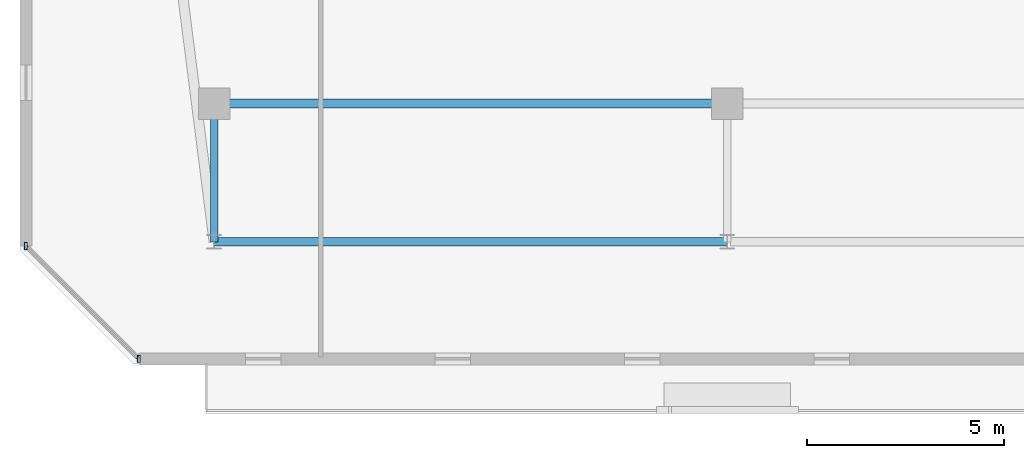
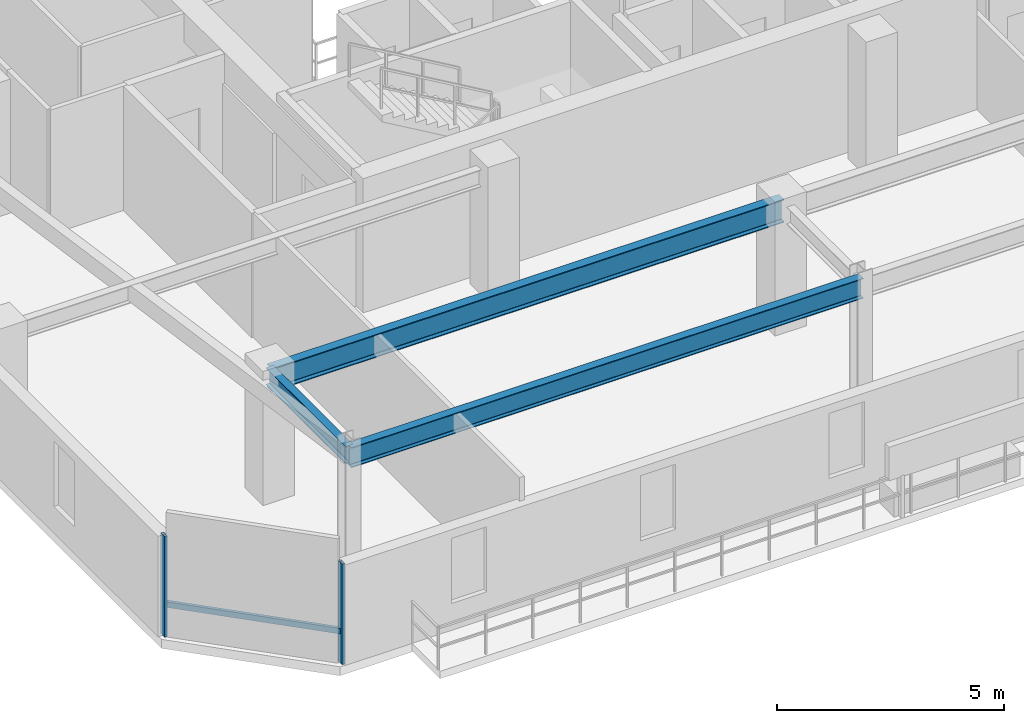
# One storey, part 5 of 35: 3 beams, 3 members, 1 element without a shape of its own.
"""IFC4 building model written with IfcOpenShell, lengths in metres."""

from ifc_helpers import new_model, si_unit, direction, frame, origin, origin_2d, place, context, subcontext, project, spatial, hollow_rectangle, i_section, extrude, material, material_profile, profile_set, type_object, element, aggregate, save


model = new_model("IFC4")

# Units and contexts
model_context = context("Model", 3, precision=1e-05, world=origin(), true_north=direction((0.0, 1.0)))
body_context = subcontext(model_context, "Body", "Model", "MODEL_VIEW")
ifc_project = project(units=[si_unit("LENGTHUNIT", "METRE"), si_unit("AREAUNIT", "SQUARE_METRE"), si_unit("VOLUMEUNIT", "CUBIC_METRE"), si_unit("PLANEANGLEUNIT", "RADIAN"), si_unit("MASSUNIT", "GRAM", prefix="KILO")], contexts=[model_context])

# Site, building, storey
site_placement = place(None, origin())
site = spatial("IfcSite", under=ifc_project, at=site_placement, CompositionType="ELEMENT")
building_placement = place(site_placement, origin())
building = spatial("IfcBuilding", under=site, at=building_placement, Name="Thornwick Lancets Civic Towers", CompositionType="ELEMENT")
storey_placement = place(building_placement, frame((0.0, 0.0, 272.699951171875)))
storey = spatial("IfcBuildingStorey", under=building, at=storey_placement, Name="L73", CompositionType="ELEMENT", Elevation=272.699951171875)

# Beams
ifc_material_1 = material(Name="Steel S355JR", Category="steel")
ifc_material_profile_1 = material_profile(ifc_material_1, i_section(OverallWidth=0.210693359375, OverallDepth=0.53955078125, WebThickness=0.01171875, FlangeThickness=0.018798828125, FilletRadius=0.0126953125, at=origin_2d()), Name="UKB 533x210x109")
ifc_profile_set_1 = profile_set([ifc_material_profile_1], Name="Steel S355JR")
beam_type_1 = type_object("IfcBeamType", Name="BM_EDGE_533_109", PredefinedType="SPANDREL", material=ifc_profile_set_1)
beam_1_placement = place(storey_placement, frame((12.5, 6.199951171875, 3.09033203125), z_axis=(1.0, 0.0, 0.0), x_axis=(0.0, 1.0, 0.0)))
element("IfcBeam", 1, at=beam_1_placement, inside=storey, type_object=beam_type_1, Name="BM-EDGE-L73-A-S0-1", PredefinedType="SPANDREL", context=body_context, shape_type="SweptSolid", body=[
    extrude(i_section(OverallWidth=0.210693359375, OverallDepth=0.53955078125, WebThickness=0.01171875, FlangeThickness=0.018798828125, FilletRadius=0.0126953125, at=origin_2d()), origin(), (0.0, 0.0, 1.0), 13.0),
])
ifc_material_profile_2 = material_profile(ifc_material_1, i_section(OverallWidth=0.230224609375, OverallDepth=0.6171875, WebThickness=0.01318359375, FlangeThickness=0.022216796875, FilletRadius=0.0126953125, at=origin_2d()), Name="UKB 610x229x140")
ifc_profile_set_2 = profile_set([ifc_material_profile_2], Name="Steel S355JR")
beam_type_2 = type_object("IfcBeamType", Name="BM_GIRD_610_140", PredefinedType="BEAM", material=ifc_profile_set_2)
beam_2_placement = place(storey_placement, frame((12.5, 9.699951171875, 3.051513671875), z_axis=(1.0, 0.0, 0.0), x_axis=(0.0, 1.0, 0.0)))
element("IfcBeam", 2, at=beam_2_placement, inside=storey, type_object=beam_type_2, Name="BM-SPINE-L73-A-0-1", PredefinedType="BEAM", context=body_context, shape_type="SweptSolid", body=[
    extrude(i_section(OverallWidth=0.230224609375, OverallDepth=0.6171875, WebThickness=0.01318359375, FlangeThickness=0.022216796875, FilletRadius=0.0126953125, at=origin_2d()), origin(), (0.0, 0.0, 1.0), 13.0),
])
ifc_material_profile_3 = material_profile(ifc_material_1, i_section(OverallWidth=0.19189453125, OverallDepth=0.46337890625, WebThickness=0.010498046875, FlangeThickness=0.017578125, FilletRadius=0.01025390625, at=origin_2d()), Name="UKB 457x191x89")
ifc_profile_set_3 = profile_set([ifc_material_profile_3], Name="Steel S355JR")
beam_type_3 = type_object("IfcBeamType", Name="BM_JOIST_457_89", PredefinedType="JOIST", material=ifc_profile_set_3)
beam_3_placement = place(storey_placement, frame((12.5, 9.699951171875, 3.12841796875), z_axis=(0.0, -1.0, 0.0), x_axis=(1.0, 0.0, 0.0)))
element("IfcBeam", 3, at=beam_3_placement, inside=storey, type_object=beam_type_3, Name="BM-RAD-L73-A01", PredefinedType="JOIST", context=body_context, shape_type="SweptSolid", body=[
    extrude(i_section(OverallWidth=0.19189453125, OverallDepth=0.46337890625, WebThickness=0.010498046875, FlangeThickness=0.017578125, FilletRadius=0.01025390625, at=origin_2d()), origin(), (0.0, 0.0, 1.0), 3.5),
])

# Curtain wall, members
ifc_material_2 = material(Name="High-zone chamfered-corner unitised glass curtain wall", Category="glass")
curtain_wall_type = type_object("IfcCurtainWallType", Name="CW_SYS_05", PredefinedType="NOTDEFINED", material=ifc_material_2)
curtain_wall_placement = place(storey_placement, origin())
curtain_wall = element("IfcCurtainWall", 4, at=curtain_wall_placement, inside=storey, type_object=curtain_wall_type, Name="L73 Curtain Wall CW-L73-A-E7", PredefinedType="NOTDEFINED")
ifc_material_3 = material(Name="Thermally broken bronze aluminium S355", Category="steel")
ifc_material_profile_4 = material_profile(ifc_material_3, hollow_rectangle(XDim=0.074951171875, YDim=0.179931640625, WallThickness=0.006103515625, at=origin_2d()), Name="RHS 180x75x6")
ifc_profile_set_4 = profile_set([ifc_material_profile_4], Name="Thermally broken bronze aluminium S355")
member_type_1 = type_object("IfcMemberType", Name="CW_MUL_180", PredefinedType="MULLION", material=ifc_profile_set_4)
member_1_placement = place(storey_placement, frame((7.736328125, 6.094482421875, 0.0), z_axis=(0.0, 0.0, 1.0), x_axis=(1.0, 0.0, 0.0)))
member_1 = element("IfcMember", 5, at=member_1_placement, type_object=member_type_1, Name="CW-L73-A-E7 Mullion 0", PredefinedType="MULLION", context=body_context, shape_type="SweptSolid", body=[
    extrude(hollow_rectangle(XDim=0.074951171875, YDim=0.179931640625, WallThickness=0.006103515625, at=origin_2d()), origin(), (0.0, 0.0, 1.0), 2.699951171875),
])
member_2_placement = place(storey_placement, frame((10.594482421875, 3.236328125, 0.0), z_axis=(0.0, 0.0, 1.0), x_axis=(1.0, 0.0, 0.0)))
member_2 = element("IfcMember", 6, at=member_2_placement, type_object=member_type_1, Name="CW-L73-A-E7 Mullion 1", PredefinedType="MULLION", context=body_context, shape_type="SweptSolid", body=[
    extrude(hollow_rectangle(XDim=0.074951171875, YDim=0.179931640625, WallThickness=0.006103515625, at=origin_2d()), origin(), (0.0, 0.0, 1.0), 2.699951171875),
])
ifc_material_profile_5 = material_profile(ifc_material_3, hollow_rectangle(XDim=0.074951171875, YDim=0.14990234375, WallThickness=0.0048828125, at=origin_2d()), Name="RHS 150x75x5")
ifc_profile_set_5 = profile_set([ifc_material_profile_5], Name="Thermally broken bronze aluminium S355")
member_type_2 = type_object("IfcMemberType", Name="CW_TRN_150", PredefinedType="USERDEFINED", material=ifc_profile_set_5)
member_3_placement = place(storey_placement, frame((7.75048828125, 6.08056640625, 0.85009765625), z_axis=(0.707106781187, -0.707106781187, 0.0), x_axis=(0.707106781187, 0.707106781187, 0.0)))
member_3 = element("IfcMember", 7, at=member_3_placement, type_object=member_type_2, Name="CW-L73-A-E7 Transom 0", ObjectType="TRANSOM", PredefinedType="USERDEFINED", context=body_context, shape_type="SweptSolid", body=[
    extrude(hollow_rectangle(XDim=0.074951171875, YDim=0.14990234375, WallThickness=0.0048828125, at=origin_2d()), origin(), (0.0, 0.0, 1.0), 4.00244140625),
])
aggregate(curtain_wall, [member_1, member_2, member_3])

save(model, "model.ifc")
